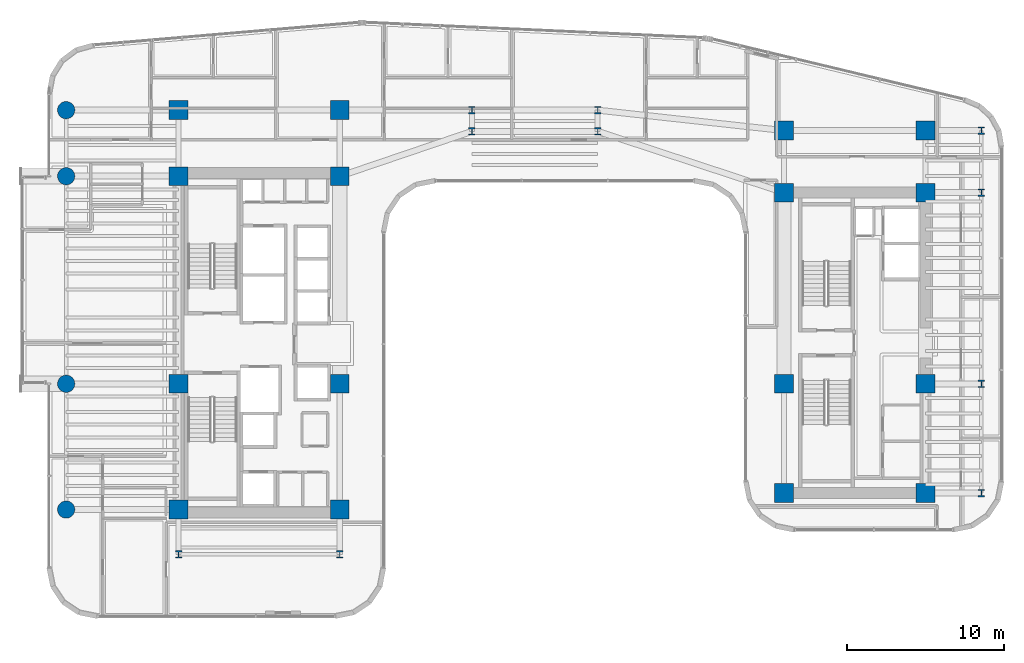
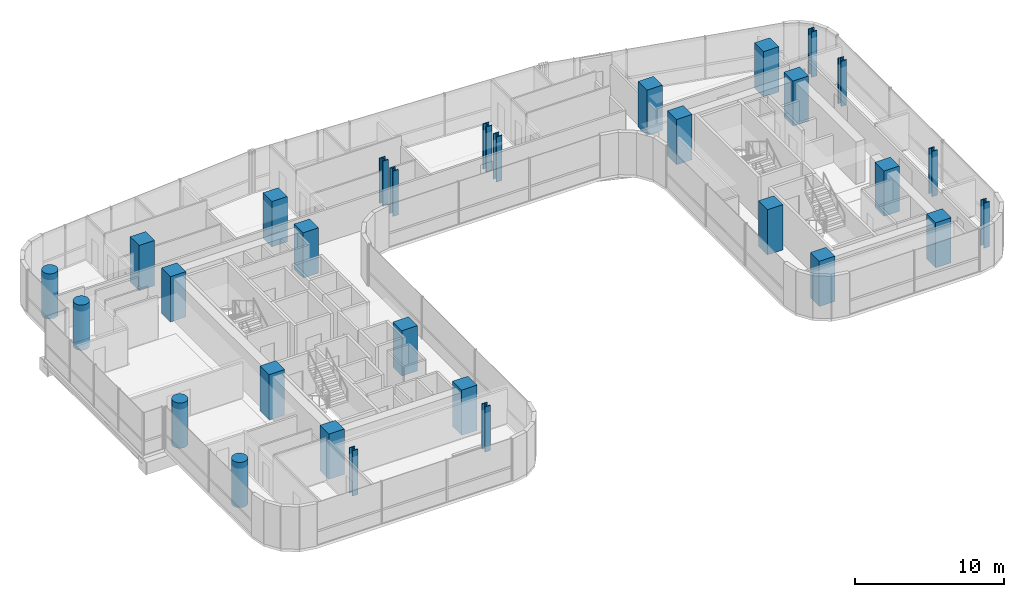
# One storey, part 1 of 36: 30 columns.
"""IFC4 building model written with IfcOpenShell, lengths in metres."""

from ifc_helpers import new_model, si_unit, direction, frame, origin, origin_2d, place, context, subcontext, project, spatial, rectangle, circle, i_section, extrude, source, transform, mapped, material, material_profile, profile_set, type_object, element, save


model = new_model("IFC4")

# Units and contexts
model_context = context("Model", 3, precision=1e-05, world=origin(), true_north=direction((0.0, 1.0)))
body_context = subcontext(model_context, "Body", "Model", "MODEL_VIEW")
ifc_project = project(units=[si_unit("LENGTHUNIT", "METRE"), si_unit("AREAUNIT", "SQUARE_METRE"), si_unit("VOLUMEUNIT", "CUBIC_METRE"), si_unit("PLANEANGLEUNIT", "RADIAN"), si_unit("MASSUNIT", "GRAM", prefix="KILO")], contexts=[model_context])

# Site, building, storey
site_placement = place(None, origin())
site = spatial("IfcSite", under=ifc_project, at=site_placement, CompositionType="ELEMENT")
building_placement = place(site_placement, origin())
building = spatial("IfcBuilding", under=site, at=building_placement, Name="Valdorenza Pilgrim Sanctuary Tower", CompositionType="ELEMENT")
storey_placement = place(building_placement, frame((0.0, 0.0, 109.39990234375)))
storey = spatial("IfcBuildingStorey", under=building, at=storey_placement, Name="L27", CompositionType="ELEMENT", Elevation=109.39990234375)

# Columns
ifc_material_1 = material(Name="Concrete C50/60", Category="concrete")
ifc_material_profile_1 = material_profile(ifc_material_1, circle(Radius=0.550048828125, at=origin_2d()), Name="RC D1100")
ifc_profile_set_1 = profile_set([ifc_material_profile_1], Name="Concrete C50/60")
column_type_1 = type_object("IfcColumnType", Name="COL-RND-1100", PredefinedType="COLUMN", material=ifc_profile_set_1)
shared_shape_1 = source(origin(), body_context, "Body", "SweptSolid", [
    extrude(circle(Radius=0.550048828125, at=origin_2d()), origin(), (0.0, 0.0, 1.0), 3.7001953125),
])
for number, where, z_axis, x_axis, name in (
    (1, (-29.800048828125, -10.60009765625, 0.0), (0.0, 0.0, 1.0), (1.0, 0.0, 0.0), "L27 Perimeter Column WA-W-S1"),
    (2, (-29.800048828125, -2.60009765625, 0.0), (0.0, 0.0, 1.0), (1.0, 0.0, 0.0), "L27 Perimeter Column WA-W-M0"),
    (3, (-29.800048828125, 10.60009765625, 0.0), (0.0, 0.0, 1.0), (1.0, 0.0, 0.0), "L27 Perimeter Column WA-W-N1"),
    (4, (-29.800048828125, 14.800048828125, 0.0), (0.0, 0.0, 1.0), (1.0, 0.0, 0.0), "L27 Perimeter Column WA-W-N2"),
):
    element("IfcColumn", number, at=place(storey_placement, frame(where, z_axis=z_axis, x_axis=x_axis)), inside=storey, type_object=column_type_1, Name=name, PredefinedType="COLUMN", context=body_context, shape_type="MappedRepresentation", body=[
        mapped(shared_shape_1, transform((0.0, 0.0, 0.0), x_axis=(1.0, 0.0, 0.0), y_axis=(0.0, 1.0, 0.0), z_axis=(0.0, 0.0, 1.0), scale=1.0)),
    ])
ifc_material_2 = material(Name="Concrete C60/75", Category="concrete")
ifc_material_profile_2 = material_profile(ifc_material_2, rectangle(XDim=1.199951171875, YDim=1.199951171875, at=origin_2d()), Name="RC 1200x1200")
ifc_profile_set_2 = profile_set([ifc_material_profile_2], Name="Concrete C60/75")
column_type_2 = type_object("IfcColumnType", Name="COL-Z2-1200", PredefinedType="COLUMN", material=ifc_profile_set_2)
shared_shape_2 = source(origin(), body_context, "Body", "SweptSolid", [
    extrude(rectangle(XDim=1.199951171875, YDim=1.199951171875, at=origin_2d()), origin(), (0.0, 0.0, 1.0), 3.7001953125),
])
for number, where, z_axis, x_axis, name in (
    (5, (-22.64990234375, -10.60009765625, 0.0), (0.0, 0.0, 1.0), (1.0, 0.0, 0.0), "L27 Column CA-W-S1"),
    (6, (-12.39990234375, -10.60009765625, 0.0), (0.0, 0.0, 1.0), (1.0, 0.0, 0.0), "L27 Column CA-E-S1"),
    (7, (-22.64990234375, -2.60009765625, 0.0), (0.0, 0.0, 1.0), (1.0, 0.0, 0.0), "L27 Column CA-W-M0"),
    (8, (-12.39990234375, -2.60009765625, 0.0), (0.0, 0.0, 1.0), (1.0, 0.0, 0.0), "L27 Column CA-E-M0"),
    (9, (-22.64990234375, 10.60009765625, 0.0), (0.0, 0.0, 1.0), (1.0, 0.0, 0.0), "L27 Column CA-W-N1"),
    (10, (-12.39990234375, 10.60009765625, 0.0), (0.0, 0.0, 1.0), (1.0, 0.0, 0.0), "L27 Column CA-E-N1"),
    (11, (-22.64990234375, 14.800048828125, 0.0), (0.0, 0.0, 1.0), (1.0, 0.0, 0.0), "L27 Column CA-W-N2"),
    (12, (-12.39990234375, 14.800048828125, 0.0), (0.0, 0.0, 1.0), (1.0, 0.0, 0.0), "L27 Column CA-E-N2"),
    (13, (15.85009765625, -9.550048828125, 0.0), (0.0, 0.0, 1.0), (1.0, 0.0, 0.0), "L27 Column CB-W-S1"),
    (14, (24.85009765625, -9.550048828125, 0.0), (0.0, 0.0, 1.0), (1.0, 0.0, 0.0), "L27 Column CB-E-S1"),
    (15, (15.85009765625, -2.60009765625, 0.0), (0.0, 0.0, 1.0), (1.0, 0.0, 0.0), "L27 Column CB-W-M0"),
    (16, (24.85009765625, -2.60009765625, 0.0), (0.0, 0.0, 1.0), (1.0, 0.0, 0.0), "L27 Column CB-E-M0"),
    (17, (15.85009765625, 9.550048828125, 0.0), (0.0, 0.0, 1.0), (1.0, 0.0, 0.0), "L27 Column CB-W-N1"),
    (18, (24.85009765625, 9.550048828125, 0.0), (0.0, 0.0, 1.0), (1.0, 0.0, 0.0), "L27 Column CB-E-N1"),
    (19, (15.85009765625, 13.5, 0.0), (0.0, 0.0, 1.0), (1.0, 0.0, 0.0), "L27 Column CB-W-N2"),
    (20, (24.85009765625, 13.5, 0.0), (0.0, 0.0, 1.0), (1.0, 0.0, 0.0), "L27 Column CB-E-N2"),
):
    element("IfcColumn", number, at=place(storey_placement, frame(where, z_axis=z_axis, x_axis=x_axis)), inside=storey, type_object=column_type_2, Name=name, PredefinedType="COLUMN", context=body_context, shape_type="MappedRepresentation", body=[
        mapped(shared_shape_2, transform((0.0, 0.0, 0.0), x_axis=(1.0, 0.0, 0.0), y_axis=(0.0, 1.0, 0.0), z_axis=(0.0, 0.0, 1.0), scale=1.0)),
    ])
ifc_material_3 = material(Name="Steel ASTM A992 Grade 50", Category="steel")
ifc_material_profile_3 = material_profile(ifc_material_3, i_section(OverallWidth=0.424072265625, OverallDepth=0.47412109375, WebThickness=0.047607421875, FlangeThickness=0.0771484375, at=origin_2d()), Name="W14X426")
ifc_profile_set_3 = profile_set([ifc_material_profile_3], Name="Steel ASTM A992 Grade 50")
column_type_3 = type_object("IfcColumnType", Name="COL-STL-W426", PredefinedType="COLUMN", material=ifc_profile_set_3)
shared_shape_3 = source(origin(), body_context, "Body", "SweptSolid", [
    extrude(i_section(OverallWidth=0.424072265625, OverallDepth=0.47412109375, WebThickness=0.047607421875, FlangeThickness=0.0771484375, at=origin_2d()), origin(), (0.0, 0.0, 1.0), 3.7001953125),
])
for number, where, z_axis, x_axis, name in (
    (21, (-22.64990234375, -13.449951171875, 0.0), (0.0, 0.0, 1.0), (1.0, 0.0, 0.0), "L27 Column WA-S-W"),
    (22, (-12.39990234375, -13.449951171875, 0.0), (0.0, 0.0, 1.0), (1.0, 0.0, 0.0), "L27 Column WA-S-E"),
    (23, (28.39990234375, -9.550048828125, 0.0), (0.0, 0.0, 1.0), (1.0, 0.0, 0.0), "L27 Perimeter Column WB-E-S1"),
    (24, (28.39990234375, -2.60009765625, 0.0), (0.0, 0.0, 1.0), (1.0, 0.0, 0.0), "L27 Perimeter Column WB-E-M0"),
    (25, (28.39990234375, 9.550048828125, 0.0), (0.0, 0.0, 1.0), (1.0, 0.0, 0.0), "L27 Perimeter Column WB-E-N1"),
    (26, (28.39990234375, 13.5, 0.0), (0.0, 0.0, 1.0), (1.0, 0.0, 0.0), "L27 Perimeter Column WB-E-N2"),
    (27, (-4.0, 13.449951171875, 0.0), (0.0, 0.0, 1.0), (1.0, 0.0, 0.0), "L27 Column KNK-W1"),
    (28, (-4.0, 14.800048828125, 0.0), (0.0, 0.0, 1.0), (1.0, 0.0, 0.0), "L27 Column KNK-W2"),
    (29, (4.0, 13.449951171875, 0.0), (0.0, 0.0, 1.0), (1.0, 0.0, 0.0), "L27 Column KNK-E1"),
    (30, (4.0, 14.800048828125, 0.0), (0.0, 0.0, 1.0), (1.0, 0.0, 0.0), "L27 Column KNK-E2"),
):
    element("IfcColumn", number, at=place(storey_placement, frame(where, z_axis=z_axis, x_axis=x_axis)), inside=storey, type_object=column_type_3, Name=name, PredefinedType="COLUMN", context=body_context, shape_type="MappedRepresentation", body=[
        mapped(shared_shape_3, transform((0.0, 0.0, 0.0), x_axis=(1.0, 0.0, 0.0), y_axis=(0.0, 1.0, 0.0), z_axis=(0.0, 0.0, 1.0), scale=1.0)),
    ])

save(model, "model.ifc")
